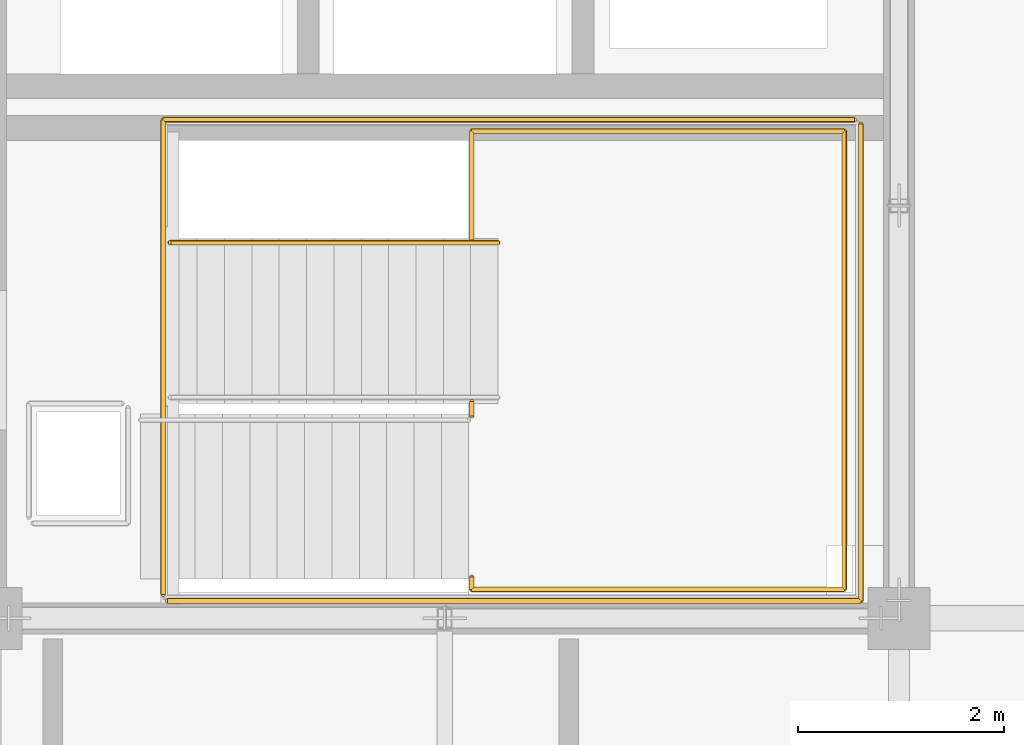
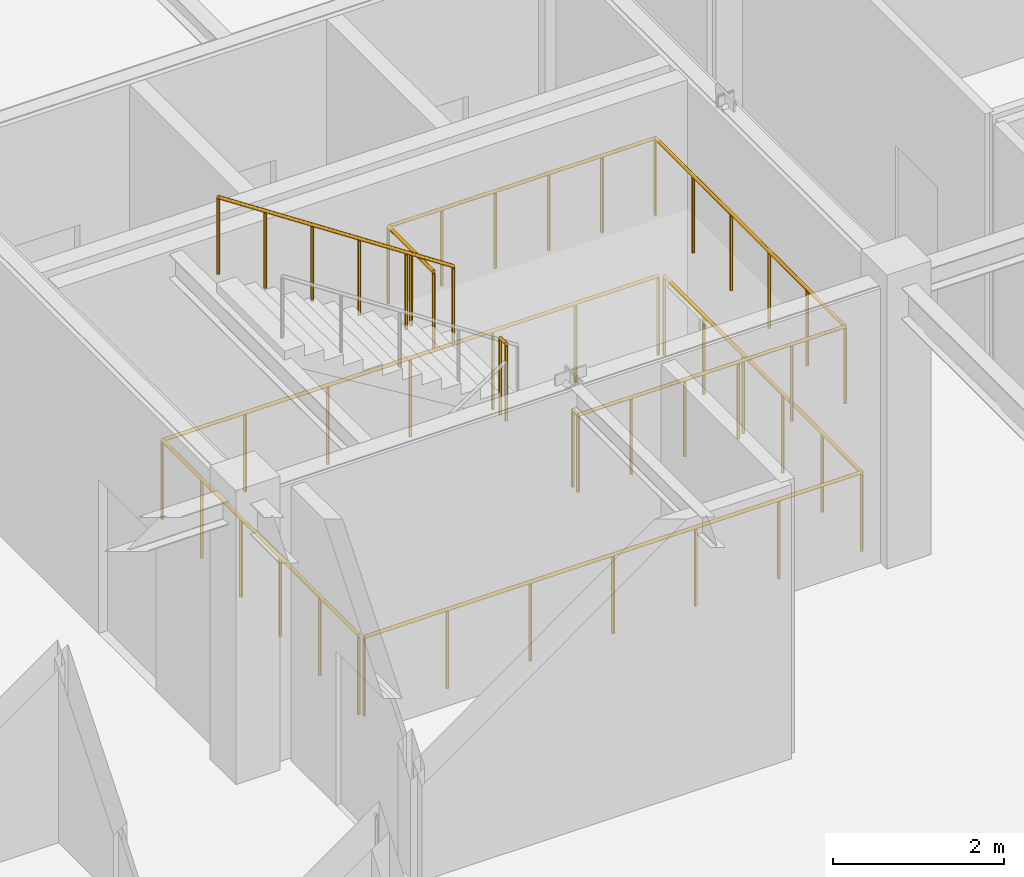
# One storey, part 19 of 22: 5 railings.
"""IFC4 building model written with IfcOpenShell, lengths in metres."""

import ifcopenshell
import ifcopenshell.guid

model = None  # the IFC model being written
_history = None  # IfcOwnerHistory: only IFC2X3 demands one
_inside = {}  # id of a spatial element -> (the spatial element, [elements in it])
_under = {}  # id of a project, library or spatial element -> (it, [spatial elements below it])
_declared = {}  # id of a project -> (the project, [libraries it declares])
_typed = {}  # id of a type object -> (the type object, [elements of that type])
_made_of = {}  # id of a material, layer set ... -> (it, [elements and type objects made of it])


def new_model(schema):
    """Start an empty IFC model of exactly this schema.

    Asked for "IFC4X3", IfcOpenShell would pick the latest addendum, in which some entities
    have other attributes; the version numbers below select the first issue.
    IFC2X3 requires an IfcOwnerHistory on every rooted entity: one is made here for all.
    """
    global model, _history
    if schema == "IFC4X3":
        model = ifcopenshell.file(schema_version=(4, 3, 0, 0))
    else:
        model = ifcopenshell.file(schema=schema)
    _inside.clear()
    _under.clear()
    _declared.clear()
    _typed.clear()
    _made_of.clear()
    _history = None
    if model.schema == "IFC2X3":
        org = make("IfcOrganization", Name="unknown")
        user = make(
            "IfcPersonAndOrganization",
            ThePerson=make("IfcPerson", FamilyName="unknown"),
            TheOrganization=org,
        )
        app = make(
            "IfcApplication",
            ApplicationDeveloper=org,
            Version="unknown",
            ApplicationFullName="unknown",
            ApplicationIdentifier="unknown",
        )
        _history = make(
            "IfcOwnerHistory",
            OwningUser=user,
            OwningApplication=app,
            ChangeAction="ADDED",
            CreationDate=0,
        )
    return model


def make(cls, **values):
    """One entity of the class cls with the attributes given. An attribute that is None is left unset."""
    return model.create_entity(
        cls, **{name: value for name, value in values.items() if value is not None}
    )


def rooted(cls, **values):
    """An entity with a GlobalId (a new one), such as an element, a storey or a relation."""
    return make(cls, GlobalId=ifcopenshell.guid.new(), OwnerHistory=_history, **values)


def si_unit(unit_type, name, prefix=None):
    """IfcSIUnit, for example si_unit("LENGTHUNIT", "METRE", prefix="MILLI")."""
    return make("IfcSIUnit", UnitType=unit_type, Prefix=prefix, Name=name)


def assignment(units):
    """IfcUnitAssignment: the units of a project."""
    return None if units is None else make("IfcUnitAssignment", Units=units)


def point(xyz):
    """IfcCartesianPoint."""
    return None if xyz is None else make("IfcCartesianPoint", Coordinates=xyz)


def direction(xyz):
    """IfcDirection."""
    return None if xyz is None else make("IfcDirection", DirectionRatios=xyz)


def frame(location, z_axis=None, x_axis=None):
    """IfcAxis2Placement3D, a coordinate frame: its origin and axes. An axis left out is left unset."""
    return make(
        "IfcAxis2Placement3D",
        Location=point(location),
        Axis=direction(z_axis),
        RefDirection=direction(x_axis),
    )


def frame_2d(location, x_axis=None):
    """IfcAxis2Placement2D, a coordinate frame in the plane: its origin and x axis."""
    return make(
        "IfcAxis2Placement2D", Location=point(location), RefDirection=direction(x_axis)
    )


def origin():
    """The frame at (0, 0, 0) with its axes left unset."""
    return frame((0.0, 0.0, 0.0))


def origin_2d():
    """The frame at (0, 0) in the plane with its x axis left unset."""
    return frame_2d((0.0, 0.0))


def place(relative_to, where):
    """IfcLocalPlacement: puts the frame where relative to a parent placement (None: the world)."""
    return make(
        "IfcLocalPlacement", PlacementRelTo=relative_to, RelativePlacement=where
    )


def context(
    kind, dimensions, precision=None, world=None, true_north=None, identifier=None
):
    """IfcGeometricRepresentationContext, for example the 3D "Model" context."""
    return make(
        "IfcGeometricRepresentationContext",
        ContextIdentifier=identifier,
        ContextType=kind,
        CoordinateSpaceDimension=dimensions,
        Precision=precision,
        WorldCoordinateSystem=world,
        TrueNorth=true_north,
    )


def subcontext(parent, identifier, kind, view, scale=None):
    """IfcGeometricRepresentationSubContext, for example "Body" below "Model"."""
    return make(
        "IfcGeometricRepresentationSubContext",
        ContextIdentifier=identifier,
        ContextType=kind,
        ParentContext=parent,
        TargetScale=scale,
        TargetView=view,
    )


def project(units=None, contexts=None):
    """IfcProject with its units and contexts."""
    return rooted(
        "IfcProject",
        Name="project",
        RepresentationContexts=contexts,
        UnitsInContext=assignment(units),
    )


def spatial(cls, under=None, at=None, **own):
    """A site, building, storey or space (cls), placed at a placement, below another one or the project."""
    s = rooted(cls, ObjectPlacement=at, **own)
    if under is not None:
        _under.setdefault(under.id(), (under, []))[1].append(s)
    return s


def profile(cls, at=None, kind="AREA", **sizes):
    """A parametric profile (cls). Its sizes go by their IFC names, for example OverallWidth=200.0."""
    return make(cls, ProfileType=kind, Position=at, **sizes)


def circle(**sizes):
    """IfcCircleProfileDef."""
    return profile("IfcCircleProfileDef", **sizes)


def extrude(swept, where, along, depth):
    """IfcExtrudedAreaSolid: the profile swept, set in the frame where, extruded along a direction by depth."""
    return make(
        "IfcExtrudedAreaSolid",
        SweptArea=swept,
        Position=where,
        ExtrudedDirection=direction(along),
        Depth=depth,
    )


def shape(context_of_items, identifier, shape_type, items):
    """IfcShapeRepresentation: the items that make up one representation, for example the "Body"."""
    return make(
        "IfcShapeRepresentation",
        ContextOfItems=context_of_items,
        RepresentationIdentifier=identifier,
        RepresentationType=shape_type,
        Items=items,
    )


def material(Name=None, Category=None):
    """IfcMaterial."""
    return make("IfcMaterial", Name=Name, Category=Category)


def made_of(thing, what):
    """Note that an element or type object is made of a material, layer set ...; save() writes the relation."""
    if what is not None:
        _made_of.setdefault(what.id(), (what, []))[1].append(thing)
    return thing


def type_object(cls, material=None, **own):
    """A type object (cls), such as IfcWallType, which elements share."""
    return made_of(rooted(cls, **own), material)


def element(
    cls,
    number,
    at=None,
    inside=None,
    cuts=None,
    type_object=None,
    material=None,
    context=None,
    identifier="Body",
    shape_type=None,
    held_by="IfcProductDefinitionShape",
    body=None,
    shapes=None,
    **own,
):
    """One element of the class cls, such as IfcWall. Its Tag is "e" and its number.

    at: its placement. inside: the storey or other place that contains it. cuts: it is an
    opening in that element (IfcRelVoidsElement). A single representation is given by context,
    identifier, shape_type and body (its items); several are given by shapes. held_by: the class
    of the entity that holds the representations. save() writes the other relations.
    """
    e = rooted(cls, Tag="e%d" % number, ObjectPlacement=at, **own)
    if body is not None:
        shapes = [shape(context, identifier, shape_type, body)]
    if shapes is not None:
        e.Representation = make(held_by, Representations=shapes)
    if inside is not None:
        _inside.setdefault(inside.id(), (inside, []))[1].append(e)
    if cuts is not None:
        rooted(
            "IfcRelVoidsElement", RelatingBuildingElement=cuts, RelatedOpeningElement=e
        )
    if type_object is not None:
        _typed.setdefault(type_object.id(), (type_object, []))[1].append(e)
    return made_of(e, material)


def aggregate(whole, parts):
    """IfcRelAggregates: a whole, such as a stair, and the parts it consists of."""
    return rooted("IfcRelAggregates", RelatingObject=whole, RelatedObjects=parts)


def save(model, path):
    """Write the relations noted so far, then the file.

    IfcRelAggregates (storeys below a building ...), IfcRelContainedInSpatialStructure (elements
    in a storey), IfcRelDefinesByType, IfcRelAssociatesMaterial and IfcRelDeclares: one each for
    every whole, place, type object, material and project.
    """
    for whole, parts in _under.values():
        aggregate(whole, parts)
    for where, things in _inside.values():
        rooted(
            "IfcRelContainedInSpatialStructure",
            RelatedElements=things,
            RelatingStructure=where,
        )
    for kind, things in _typed.values():
        rooted("IfcRelDefinesByType", RelatedObjects=things, RelatingType=kind)
    for what, things in _made_of.values():
        rooted("IfcRelAssociatesMaterial", RelatedObjects=things, RelatingMaterial=what)
    for by, libraries in _declared.values():
        rooted("IfcRelDeclares", RelatingContext=by, RelatedDefinitions=libraries)
    model.write(path)


model = new_model("IFC4")

# Units and contexts
model_context = context("Model", 3, precision=1e-05, world=origin(), true_north=direction((0.0, 1.0)))
body_context = subcontext(model_context, "Body", "Model", "MODEL_VIEW")
ifc_project = project(units=[si_unit("LENGTHUNIT", "METRE"), si_unit("AREAUNIT", "SQUARE_METRE"), si_unit("VOLUMEUNIT", "CUBIC_METRE"), si_unit("PLANEANGLEUNIT", "RADIAN"), si_unit("MASSUNIT", "GRAM", prefix="KILO")], contexts=[model_context])

# Site, building, storey
site_placement = place(None, origin())
site = spatial("IfcSite", under=ifc_project, at=site_placement, CompositionType="ELEMENT")
building_placement = place(site_placement, origin())
building = spatial("IfcBuilding", under=site, at=building_placement, Name="Zhaolan Boulevard Law Courts", CompositionType="ELEMENT")
storey_placement = place(building_placement, frame((0.0, 0.0, 28.800048828125)))
storey = spatial("IfcBuildingStorey", under=building, at=storey_placement, Name="L06", CompositionType="ELEMENT", Elevation=28.800048828125)

# Railings
ifc_material_1 = material(Name="Powder-coated steel and tempered laminated glass", Category="steel")
railing_type_1 = type_object("IfcRailingType", Name="INTERIOR GUARDRAIL 1150", PredefinedType="GUARDRAIL", material=ifc_material_1)
railing_1_placement = place(storey_placement, frame((19.31005859375, 46.169921875, 0.0)))
element("IfcRailing", 1, at=railing_1_placement, inside=storey, type_object=railing_type_1, Name="Atrium Gallery Guardrail VG-6-V5-6A", PredefinedType="GUARDRAIL", context=body_context, shape_type="SweptSolid", body=[
    extrude(circle(Radius=0.02490234375, at=origin_2d()), frame((0.0, 0.0, 1.125), z_axis=(1.0, 0.0, 0.0), x_axis=(0.0, 1.0, 0.0)), (0.0, 0.0, 1.0), 6.719970703125),
    extrude(circle(Radius=0.02490234375, at=origin_2d()), frame((6.719970703125, 0.0, 1.125), z_axis=(0.0, 1.0, 0.0), x_axis=(-1.0, 0.0, 0.0)), (0.0, 0.0, 1.0), 4.6201171875),
    extrude(circle(Radius=0.02099609375, at=origin_2d()), origin(), (0.0, 0.0, 1.0), 1.099853515625),
    extrude(circle(Radius=0.02099609375, at=origin_2d()), frame((1.1201171875, 0.0, 0.0)), (0.0, 0.0, 1.0), 1.099853515625),
    extrude(circle(Radius=0.02099609375, at=origin_2d()), frame((2.239990234375, 0.0, 0.0)), (0.0, 0.0, 1.0), 1.099853515625),
    extrude(circle(Radius=0.02099609375, at=origin_2d()), frame((3.35986328125, 0.0, 0.0)), (0.0, 0.0, 1.0), 1.099853515625),
    extrude(circle(Radius=0.02099609375, at=origin_2d()), frame((4.47998046875, 0.0, 0.0)), (0.0, 0.0, 1.0), 1.099853515625),
    extrude(circle(Radius=0.02099609375, at=origin_2d()), frame((5.60009765625, 0.0, 0.0)), (0.0, 0.0, 1.0), 1.099853515625),
    extrude(circle(Radius=0.02099609375, at=origin_2d()), frame((6.719970703125, 0.0, 0.0)), (0.0, 0.0, 1.0), 1.099853515625),
    extrude(circle(Radius=0.02099609375, at=origin_2d()), frame((6.719970703125, 0.924072265625, 0.0)), (0.0, 0.0, 1.0), 1.099853515625),
    extrude(circle(Radius=0.02099609375, at=origin_2d()), frame((6.719970703125, 1.84814453125, 0.0)), (0.0, 0.0, 1.0), 1.099853515625),
    extrude(circle(Radius=0.02099609375, at=origin_2d()), frame((6.719970703125, 2.77197265625, 0.0)), (0.0, 0.0, 1.0), 1.099853515625),
    extrude(circle(Radius=0.02099609375, at=origin_2d()), frame((6.719970703125, 3.696044921875, 0.0)), (0.0, 0.0, 1.0), 1.099853515625),
    extrude(circle(Radius=0.02099609375, at=origin_2d()), frame((6.719970703125, 4.6201171875, 0.0)), (0.0, 0.0, 1.0), 1.099853515625),
])
railing_2_placement = place(storey_placement, frame((25.969970703125, 50.830078125, 0.0)))
element("IfcRailing", 2, at=railing_2_placement, inside=storey, type_object=railing_type_1, Name="Atrium Gallery Guardrail VG-6-V5-6B", PredefinedType="GUARDRAIL", context=body_context, shape_type="SweptSolid", body=[
    extrude(circle(Radius=0.02490234375, at=origin_2d()), frame((0.0, 0.0, 1.125), z_axis=(-1.0, 0.0, 0.0), x_axis=(0.0, -1.0, 0.0)), (0.0, 0.0, 1.0), 6.699951171875),
    extrude(circle(Radius=0.02490234375, at=origin_2d()), frame((-6.699951171875, 0.0, 1.125), z_axis=(0.0, -1.0, 0.0), x_axis=(1.0, 0.0, 0.0)), (0.0, 0.0, 1.0), 4.60009765625),
    extrude(circle(Radius=0.02099609375, at=origin_2d()), origin(), (0.0, 0.0, 1.0), 1.099853515625),
    extrude(circle(Radius=0.02099609375, at=origin_2d()), frame((-1.11669921875, 0.0, 0.0)), (0.0, 0.0, 1.0), 1.099853515625),
    extrude(circle(Radius=0.02099609375, at=origin_2d()), frame((-2.2333984375, 0.0, 0.0)), (0.0, 0.0, 1.0), 1.099853515625),
    extrude(circle(Radius=0.02099609375, at=origin_2d()), frame((-3.35009765625, 0.0, 0.0)), (0.0, 0.0, 1.0), 1.099853515625),
    extrude(circle(Radius=0.02099609375, at=origin_2d()), frame((-4.466552734375, 0.0, 0.0)), (0.0, 0.0, 1.0), 1.099853515625),
    extrude(circle(Radius=0.02099609375, at=origin_2d()), frame((-5.583251953125, 0.0, 0.0)), (0.0, 0.0, 1.0), 1.099853515625),
    extrude(circle(Radius=0.02099609375, at=origin_2d()), frame((-6.699951171875, 0.0, 0.0)), (0.0, 0.0, 1.0), 1.099853515625),
    extrude(circle(Radius=0.02099609375, at=origin_2d()), frame((-6.699951171875, -0.919921875, 0.0)), (0.0, 0.0, 1.0), 1.099853515625),
    extrude(circle(Radius=0.02099609375, at=origin_2d()), frame((-6.699951171875, -1.840087890625, 0.0)), (0.0, 0.0, 1.0), 1.099853515625),
    extrude(circle(Radius=0.02099609375, at=origin_2d()), frame((-6.699951171875, -2.760009765625, 0.0)), (0.0, 0.0, 1.0), 1.099853515625),
    extrude(circle(Radius=0.02099609375, at=origin_2d()), frame((-6.699951171875, -3.68017578125, 0.0)), (0.0, 0.0, 1.0), 1.099853515625),
    extrude(circle(Radius=0.02099609375, at=origin_2d()), frame((-6.699951171875, -4.60009765625, 0.0)), (0.0, 0.0, 1.0), 1.099853515625),
])
ifc_material_2 = material(Name="Powder-coated steel baluster guardrail", Category="steel")
railing_type_2 = type_object("IfcRailingType", Name="STAIR WELL GUARDRAIL 1120", PredefinedType="GUARDRAIL", material=ifc_material_2)
railing_3_placement = place(storey_placement, frame((22.260009765625, 46.39990234375, 2.099853515625)))
element("IfcRailing", 3, at=railing_3_placement, inside=storey, type_object=railing_type_2, Name="Half-Landing Guardrail SG-ST01-L06-M", PredefinedType="GUARDRAIL", context=body_context, shape_type="SweptSolid", body=[
    extrude(circle(Radius=0.02392578125, at=origin_2d()), frame((0.0, 0.0, 1.09619140625), z_axis=(0.0, -1.0, 0.0), x_axis=(1.0, 0.0, 0.0)), (0.0, 0.0, 1.0), 0.119873046875),
    extrude(circle(Radius=0.02392578125, at=origin_2d()), frame((0.0, -0.119873046875, 1.09619140625), z_axis=(1.0, 0.0, 0.0), x_axis=(0.0, 1.0, 0.0)), (0.0, 0.0, 1.0), 3.610107421875),
    extrude(circle(Radius=0.02392578125, at=origin_2d()), frame((3.610107421875, -0.119873046875, 1.09619140625), z_axis=(0.0, 1.0, 0.0), x_axis=(-1.0, 0.0, 0.0)), (0.0, 0.0, 1.0), 4.43994140625),
    extrude(circle(Radius=0.02392578125, at=origin_2d()), frame((3.610107421875, 4.320068359375, 1.09619140625), z_axis=(-1.0, 0.0, 0.0), x_axis=(0.0, -1.0, 0.0)), (0.0, 0.0, 1.0), 3.610107421875),
    extrude(circle(Radius=0.02392578125, at=origin_2d()), frame((0.0, 4.320068359375, 1.09619140625), z_axis=(0.0, -1.0, 0.0), x_axis=(1.0, 0.0, 0.0)), (0.0, 0.0, 1.0), 1.06005859375),
    extrude(circle(Radius=0.02099609375, at=origin_2d()), origin(), (0.0, 0.0, 1.0), 1.072021484375),
    extrude(circle(Radius=0.02099609375, at=origin_2d()), frame((0.0, -0.119873046875, 0.0)), (0.0, 0.0, 1.0), 1.072021484375),
    extrude(circle(Radius=0.02099609375, at=origin_2d()), frame((0.721923828125, -0.119873046875, 0.0)), (0.0, 0.0, 1.0), 1.072021484375),
    extrude(circle(Radius=0.02099609375, at=origin_2d()), frame((1.444091796875, -0.119873046875, 0.0)), (0.0, 0.0, 1.0), 1.072021484375),
    extrude(circle(Radius=0.02099609375, at=origin_2d()), frame((2.166015625, -0.119873046875, 0.0)), (0.0, 0.0, 1.0), 1.072021484375),
    extrude(circle(Radius=0.02099609375, at=origin_2d()), frame((2.88818359375, -0.119873046875, 0.0)), (0.0, 0.0, 1.0), 1.072021484375),
    extrude(circle(Radius=0.02099609375, at=origin_2d()), frame((3.610107421875, -0.119873046875, 0.0)), (0.0, 0.0, 1.0), 1.072021484375),
    extrude(circle(Radius=0.02099609375, at=origin_2d()), frame((3.610107421875, 0.76806640625, 0.0)), (0.0, 0.0, 1.0), 1.072021484375),
    extrude(circle(Radius=0.02099609375, at=origin_2d()), frame((3.610107421875, 1.656005859375, 0.0)), (0.0, 0.0, 1.0), 1.072021484375),
    extrude(circle(Radius=0.02099609375, at=origin_2d()), frame((3.610107421875, 2.544189453125, 0.0)), (0.0, 0.0, 1.0), 1.072021484375),
    extrude(circle(Radius=0.02099609375, at=origin_2d()), frame((3.610107421875, 3.43212890625, 0.0)), (0.0, 0.0, 1.0), 1.072021484375),
    extrude(circle(Radius=0.02099609375, at=origin_2d()), frame((3.610107421875, 4.320068359375, 0.0)), (0.0, 0.0, 1.0), 1.072021484375),
    extrude(circle(Radius=0.02099609375, at=origin_2d()), frame((2.88818359375, 4.320068359375, 0.0)), (0.0, 0.0, 1.0), 1.072021484375),
    extrude(circle(Radius=0.02099609375, at=origin_2d()), frame((2.166015625, 4.320068359375, 0.0)), (0.0, 0.0, 1.0), 1.072021484375),
    extrude(circle(Radius=0.02099609375, at=origin_2d()), frame((1.444091796875, 4.320068359375, 0.0)), (0.0, 0.0, 1.0), 1.072021484375),
    extrude(circle(Radius=0.02099609375, at=origin_2d()), frame((0.721923828125, 4.320068359375, 0.0)), (0.0, 0.0, 1.0), 1.072021484375),
    extrude(circle(Radius=0.02099609375, at=origin_2d()), frame((0.0, 4.320068359375, 0.0)), (0.0, 0.0, 1.0), 1.072021484375),
    extrude(circle(Radius=0.02099609375, at=origin_2d()), frame((0.0, 3.7900390625, 0.0)), (0.0, 0.0, 1.0), 1.072021484375),
    extrude(circle(Radius=0.02099609375, at=origin_2d()), frame((0.0, 3.260009765625, 0.0)), (0.0, 0.0, 1.0), 1.072021484375),
])
railing_4_placement = place(storey_placement, frame((22.260009765625, 47.9599609375, 2.099853515625)))
element("IfcRailing", 4, at=railing_4_placement, inside=storey, type_object=railing_type_2, Name="Half-Landing Well Guardrail SG-ST01-L06-W", PredefinedType="GUARDRAIL", context=body_context, shape_type="SweptSolid", body=[
    extrude(circle(Radius=0.02392578125, at=origin_2d()), frame((0.0, 0.0, 1.09619140625), z_axis=(0.0, 1.0, 0.0), x_axis=(-1.0, 0.0, 0.0)), (0.0, 0.0, 1.0), 0.14013671875),
    extrude(circle(Radius=0.02099609375, at=origin_2d()), origin(), (0.0, 0.0, 1.0), 1.072021484375),
    extrude(circle(Radius=0.02099609375, at=origin_2d()), frame((0.0, 0.14013671875, 0.0)), (0.0, 0.0, 1.0), 1.072021484375),
])
railing_5_placement = place(storey_placement, frame((22.514892578125, 49.639892578125, 2.099853515625)))
element("IfcRailing", 5, at=railing_5_placement, inside=storey, type_object=railing_type_2, Name="Flight Guardrail SG-ST01-L06-F2", PredefinedType="GUARDRAIL", context=body_context, shape_type="SweptSolid", body=[
    extrude(circle(Radius=0.02392578125, at=origin_2d()), frame((0.0, 0.0, 1.09619140625), z_axis=(-0.834447378162, 0.0, 0.551087627405), x_axis=(0.0, -1.0, 0.0)), (0.0, 0.0, 1.0), 3.810791015625),
    extrude(circle(Radius=0.02099609375, at=origin_2d()), origin(), (0.0, 0.0, 1.0), 1.072021484375),
    extrude(circle(Radius=0.02099609375, at=origin_2d()), frame((-0.635986328125, 0.0, 0.419921875)), (0.0, 0.0, 1.0), 1.072021484375),
    extrude(circle(Radius=0.02099609375, at=origin_2d()), frame((-1.27197265625, 0.0, 0.840087890625)), (0.0, 0.0, 1.0), 1.072021484375),
    extrude(circle(Radius=0.02099609375, at=origin_2d()), frame((-1.907958984375, 0.0, 1.260009765625)), (0.0, 0.0, 1.0), 1.072021484375),
    extrude(circle(Radius=0.02099609375, at=origin_2d()), frame((-2.5439453125, 0.0, 1.68017578125)), (0.0, 0.0, 1.0), 1.072021484375),
    extrude(circle(Radius=0.02099609375, at=origin_2d()), frame((-3.179931640625, 0.0, 2.10009765625)), (0.0, 0.0, 1.0), 1.072021484375),
])

save(model, "model.ifc")
